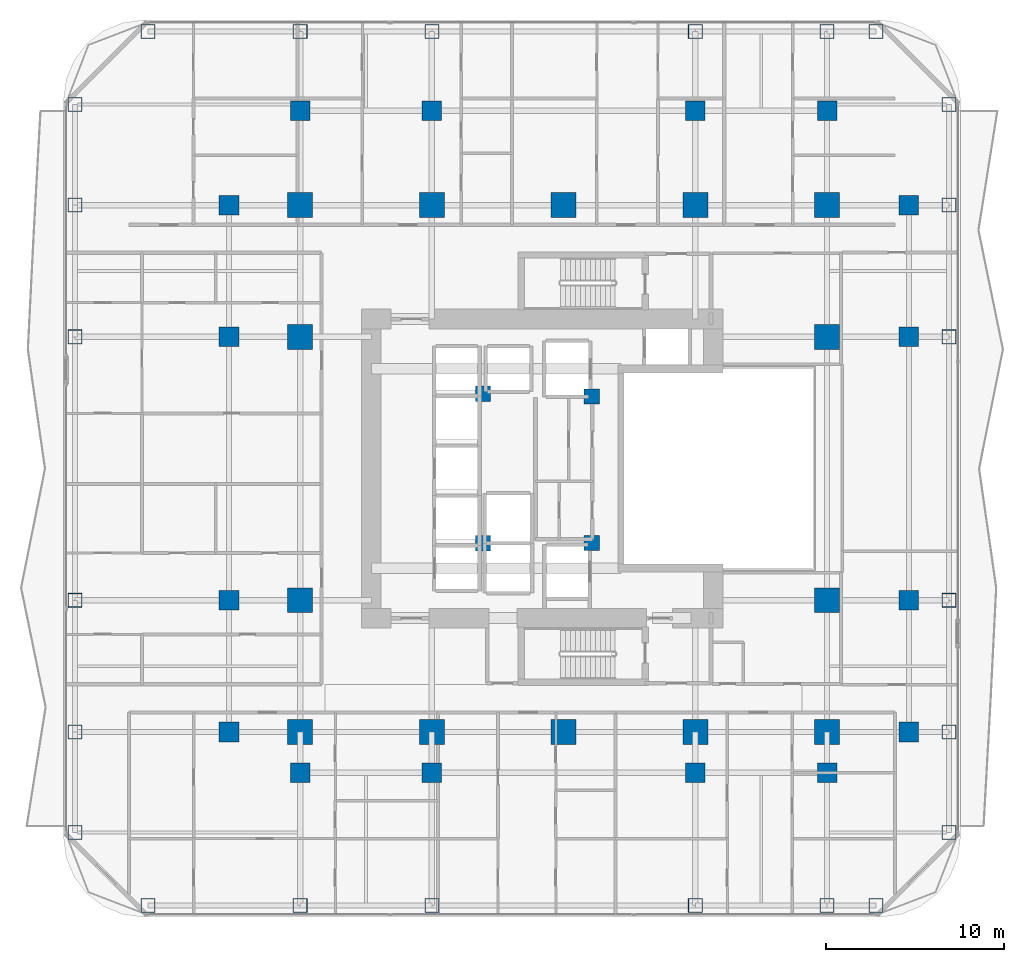
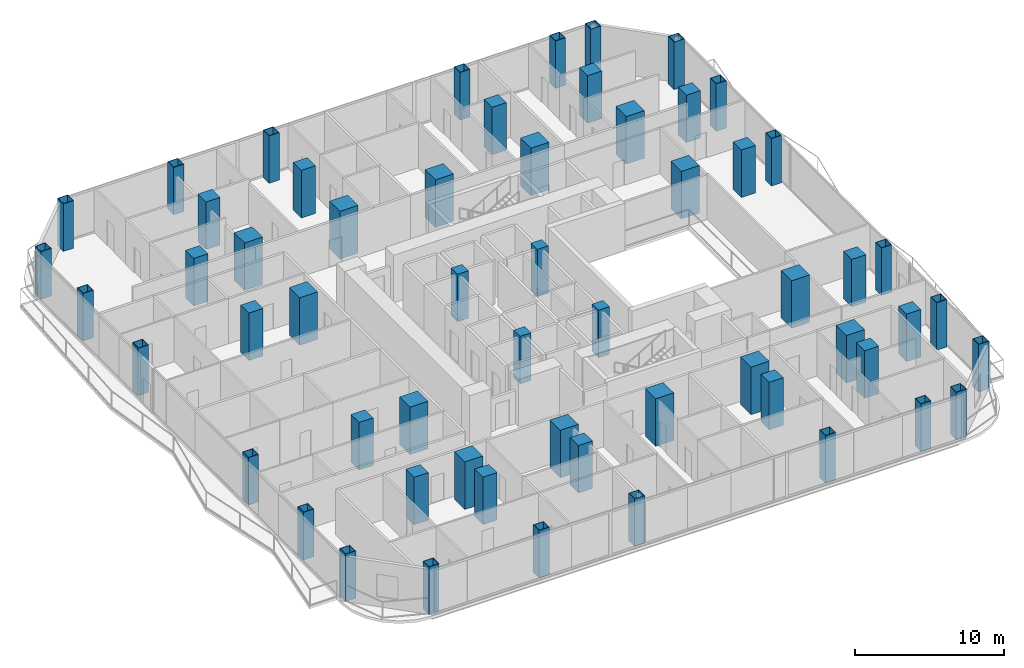
# One storey, part 1 of 29: 58 columns.
"""IFC4 building model written with IfcOpenShell, lengths in metres."""

from ifc_helpers import new_model, si_unit, direction, frame, origin, origin_2d, place, context, subcontext, project, spatial, rectangle, hollow_rectangle, extrude, material, material_profile, profile_set, type_object, element, save


model = new_model("IFC4")

# Units and contexts
model_context = context("Model", 3, precision=1e-05, world=origin(), true_north=direction((0.0, 1.0)))
body_context = subcontext(model_context, "Body", "Model", "MODEL_VIEW")
ifc_project = project(units=[si_unit("LENGTHUNIT", "METRE"), si_unit("AREAUNIT", "SQUARE_METRE"), si_unit("VOLUMEUNIT", "CUBIC_METRE"), si_unit("PLANEANGLEUNIT", "RADIAN"), si_unit("MASSUNIT", "GRAM", prefix="KILO")], contexts=[model_context])

# Site, building, storey
site_placement = place(None, origin())
site = spatial("IfcSite", under=ifc_project, at=site_placement, CompositionType="ELEMENT")
building_placement = place(site_placement, origin())
building = spatial("IfcBuilding", under=site, at=building_placement, Name="Khorvyn Point Tower", CompositionType="ELEMENT")
storey_placement = place(building_placement, frame((0.0, 0.0, 69.60009765625)))
storey = spatial("IfcBuildingStorey", under=building, at=storey_placement, Name="L18", CompositionType="ELEMENT", Elevation=69.60009765625)

# Columns
ifc_material_1 = material(Name="Concrete C40/50", Category="concrete")
ifc_material_profile_1 = material_profile(ifc_material_1, rectangle(XDim=0.85009765625, YDim=0.85009765625, at=origin_2d()))
ifc_profile_set_1 = profile_set([ifc_material_profile_1], Name="Concrete C40/50 RC850x850")
column_type_1 = type_object("IfcColumnType", Name="Concrete C40/50 Column RC850x850", PredefinedType="COLUMN", material=ifc_profile_set_1)
for number, where, z_axis, x_axis, name in (
    (1, (-4.52001953125, -4.199951171875, 0.0), (0.0, 0.0, 1.0), (1.0, 0.0, 0.0), "L18 Crown Core Spine Column 1"),
    (2, (1.580078125, -4.179931640625, 0.0), (0.0, 0.0, 1.0), (1.0, 0.0, 0.0), "L18 Crown Core Spine Column 2"),
    (3, (1.580078125, 4.050048828125, 0.0), (0.0, 0.0, 1.0), (1.0, 0.0, 0.0), "L18 Crown Core Spine Column 3"),
    (4, (-4.52001953125, 4.199951171875, 0.0), (0.0, 0.0, 1.0), (1.0, 0.0, 0.0), "L18 Crown Core Spine Column 4"),
):
    element("IfcColumn", number, at=place(storey_placement, frame(where, z_axis=z_axis, x_axis=x_axis)), inside=storey, type_object=column_type_1, Name=name, PredefinedType="COLUMN", context=body_context, shape_type="SweptSolid", body=[
        extrude(rectangle(XDim=0.85009765625, YDim=0.85009765625, at=origin_2d()), origin(), (0.0, 0.0, 1.0), 3.89990234375),
    ])
ifc_material_2 = material(Name="Concrete C45/55", Category="concrete")
ifc_material_profile_2 = material_profile(ifc_material_2, rectangle(XDim=1.10009765625, YDim=1.10009765625, at=origin_2d()))
ifc_profile_set_2 = profile_set([ifc_material_profile_2], Name="Concrete C45/55 RC1100x1100")
column_type_2 = type_object("IfcColumnType", Name="Concrete C45/55 Column RC1100x1100", PredefinedType="COLUMN", material=ifc_profile_set_2)
for number, where, z_axis, x_axis, name in (
    (5, (-18.800048828125, -14.800048828125, 0.0), (0.0, 0.0, 1.0), (1.0, 0.0, 0.0), "L18 Intermediate Column ICW--14"),
    (6, (-18.800048828125, -7.39990234375, 0.0), (0.0, 0.0, 1.0), (1.0, 0.0, 0.0), "L18 Intermediate Column ICW--7"),
    (7, (-18.800048828125, 7.39990234375, 0.0), (0.0, 0.0, 1.0), (1.0, 0.0, 0.0), "L18 Intermediate Column ICW-7"),
    (8, (-18.800048828125, 14.800048828125, 0.0), (0.0, 0.0, 1.0), (1.0, 0.0, 0.0), "L18 Intermediate Column ICW-14"),
    (9, (19.39990234375, -14.800048828125, 0.0), (0.0, 0.0, 1.0), (1.0, 0.0, 0.0), "L18 Intermediate Column ICE--14"),
    (10, (19.39990234375, -7.39990234375, 0.0), (0.0, 0.0, 1.0), (1.0, 0.0, 0.0), "L18 Intermediate Column ICE--7"),
    (11, (19.39990234375, 7.39990234375, 0.0), (0.0, 0.0, 1.0), (1.0, 0.0, 0.0), "L18 Intermediate Column ICE-7"),
    (12, (19.39990234375, 14.800048828125, 0.0), (0.0, 0.0, 1.0), (1.0, 0.0, 0.0), "L18 Intermediate Column ICE-14"),
    (13, (-14.800048828125, -17.10009765625, 0.0), (0.0, 0.0, 1.0), (1.0, 0.0, 0.0), "L18 Intermediate Column ICS--14"),
    (14, (-7.39990234375, -17.10009765625, 0.0), (0.0, 0.0, 1.0), (1.0, 0.0, 0.0), "L18 Intermediate Column ICS--7"),
    (15, (7.39990234375, -17.10009765625, 0.0), (0.0, 0.0, 1.0), (1.0, 0.0, 0.0), "L18 Intermediate Column ICS-7"),
    (16, (14.800048828125, -17.10009765625, 0.0), (0.0, 0.0, 1.0), (1.0, 0.0, 0.0), "L18 Intermediate Column ICS-14"),
    (17, (-14.800048828125, 20.10009765625, 0.0), (0.0, 0.0, 1.0), (1.0, 0.0, 0.0), "L18 Intermediate Column ICN--14"),
    (18, (-7.39990234375, 20.10009765625, 0.0), (0.0, 0.0, 1.0), (1.0, 0.0, 0.0), "L18 Intermediate Column ICN--7"),
    (19, (7.39990234375, 20.10009765625, 0.0), (0.0, 0.0, 1.0), (1.0, 0.0, 0.0), "L18 Intermediate Column ICN-7"),
    (20, (14.800048828125, 20.10009765625, 0.0), (0.0, 0.0, 1.0), (1.0, 0.0, 0.0), "L18 Intermediate Column ICN-14"),
):
    element("IfcColumn", number, at=place(storey_placement, frame(where, z_axis=z_axis, x_axis=x_axis)), inside=storey, type_object=column_type_2, Name=name, PredefinedType="COLUMN", context=body_context, shape_type="SweptSolid", body=[
        extrude(rectangle(XDim=1.10009765625, YDim=1.10009765625, at=origin_2d()), origin(), (0.0, 0.0, 1.0), 3.89990234375),
    ])
ifc_material_3 = material(Name="Concrete C50/60", Category="concrete")
ifc_material_profile_3 = material_profile(ifc_material_3, rectangle(XDim=1.39990234375, YDim=1.39990234375, at=origin_2d()))
ifc_profile_set_3 = profile_set([ifc_material_profile_3], Name="Concrete C50/60 RC1400x1400")
column_type_3 = type_object("IfcColumnType", Name="Concrete C50/60 Column RC1400x1400", PredefinedType="COLUMN", material=ifc_profile_set_3)
for number, where, z_axis, x_axis, name in (
    (21, (-14.800048828125, -14.800048828125, 0.0), (0.0, 0.0, 1.0), (1.0, 0.0, 0.0), "L18 Mega-Column MC-01"),
    (22, (-7.39990234375, -14.800048828125, 0.0), (0.0, 0.0, 1.0), (1.0, 0.0, 0.0), "L18 Mega-Column MC-02"),
    (23, (0.0, -14.800048828125, 0.0), (0.0, 0.0, 1.0), (1.0, 0.0, 0.0), "L18 Mega-Column MC-03"),
    (24, (7.39990234375, -14.800048828125, 0.0), (0.0, 0.0, 1.0), (1.0, 0.0, 0.0), "L18 Mega-Column MC-04"),
    (25, (14.800048828125, -14.800048828125, 0.0), (0.0, 0.0, 1.0), (1.0, 0.0, 0.0), "L18 Mega-Column MC-05"),
    (26, (-14.800048828125, 14.800048828125, 0.0), (0.0, 0.0, 1.0), (1.0, 0.0, 0.0), "L18 Mega-Column MC-06"),
    (27, (-7.39990234375, 14.800048828125, 0.0), (0.0, 0.0, 1.0), (1.0, 0.0, 0.0), "L18 Mega-Column MC-07"),
    (28, (0.0, 14.800048828125, 0.0), (0.0, 0.0, 1.0), (1.0, 0.0, 0.0), "L18 Mega-Column MC-08"),
    (29, (7.39990234375, 14.800048828125, 0.0), (0.0, 0.0, 1.0), (1.0, 0.0, 0.0), "L18 Mega-Column MC-09"),
    (30, (14.800048828125, 14.800048828125, 0.0), (0.0, 0.0, 1.0), (1.0, 0.0, 0.0), "L18 Mega-Column MC-10"),
    (31, (-14.800048828125, -7.39990234375, 0.0), (0.0, 0.0, 1.0), (1.0, 0.0, 0.0), "L18 Mega-Column MC-11"),
    (32, (-14.800048828125, 7.39990234375, 0.0), (0.0, 0.0, 1.0), (1.0, 0.0, 0.0), "L18 Mega-Column MC-12"),
    (33, (14.800048828125, -7.39990234375, 0.0), (0.0, 0.0, 1.0), (1.0, 0.0, 0.0), "L18 Mega-Column MC-13"),
    (34, (14.800048828125, 7.39990234375, 0.0), (0.0, 0.0, 1.0), (1.0, 0.0, 0.0), "L18 Mega-Column MC-14"),
):
    element("IfcColumn", number, at=place(storey_placement, frame(where, z_axis=z_axis, x_axis=x_axis)), inside=storey, type_object=column_type_3, Name=name, PredefinedType="COLUMN", context=body_context, shape_type="SweptSolid", body=[
        extrude(rectangle(XDim=1.39990234375, YDim=1.39990234375, at=origin_2d()), origin(), (0.0, 0.0, 1.0), 3.89990234375),
    ])
ifc_material_4 = material(Name="Steel S450", Category="steel")
ifc_material_profile_4 = material_profile(ifc_material_4, hollow_rectangle(XDim=0.800048828125, YDim=0.800048828125, WallThickness=0.035888671875, at=origin_2d()))
ifc_profile_set_4 = profile_set([ifc_material_profile_4], Name="Steel S450 BOX800x800x36")
column_type_4 = type_object("IfcColumnType", Name="Steel S450 Structural Column BOX800x800x36", PredefinedType="COLUMN", material=ifc_profile_set_4)
for number, where, z_axis, x_axis, name in (
    (35, (-23.35009765625, -24.550048828125, 0.0), (0.0, 0.0, 1.0), (1.0, 0.0, 0.0), "L18 Perimeter Tube Column TC-01"),
    (36, (17.550048828125, -24.550048828125, 0.0), (0.0, 0.0, 1.0), (1.0, 0.0, 0.0), "L18 Perimeter Tube Column TC-02"),
    (37, (-23.35009765625, 24.550048828125, 0.0), (0.0, 0.0, 1.0), (1.0, 0.0, 0.0), "L18 Perimeter Tube Column TC-03"),
    (38, (17.550048828125, 24.550048828125, 0.0), (0.0, 0.0, 1.0), (1.0, 0.0, 0.0), "L18 Perimeter Tube Column TC-04"),
    (39, (-27.449951171875, -20.449951171875, 0.0), (0.0, 0.0, 1.0), (1.0, 0.0, 0.0), "L18 Perimeter Tube Column TC-05"),
    (40, (-27.449951171875, 20.449951171875, 0.0), (0.0, 0.0, 1.0), (1.0, 0.0, 0.0), "L18 Perimeter Tube Column TC-06"),
    (41, (21.64990234375, -20.449951171875, 0.0), (0.0, 0.0, 1.0), (1.0, 0.0, 0.0), "L18 Perimeter Tube Column TC-07"),
    (42, (21.64990234375, 20.449951171875, 0.0), (0.0, 0.0, 1.0), (1.0, 0.0, 0.0), "L18 Perimeter Tube Column TC-08"),
    (43, (-14.800048828125, -24.550048828125, 0.0), (0.0, 0.0, 1.0), (1.0, 0.0, 0.0), "L18 Perimeter Tube Column TC-09"),
    (44, (-14.800048828125, 24.550048828125, 0.0), (0.0, 0.0, 1.0), (1.0, 0.0, 0.0), "L18 Perimeter Tube Column TC-10"),
    (45, (-7.39990234375, -24.550048828125, 0.0), (0.0, 0.0, 1.0), (1.0, 0.0, 0.0), "L18 Perimeter Tube Column TC-11"),
    (46, (-7.39990234375, 24.550048828125, 0.0), (0.0, 0.0, 1.0), (1.0, 0.0, 0.0), "L18 Perimeter Tube Column TC-12"),
    (47, (7.39990234375, -24.550048828125, 0.0), (0.0, 0.0, 1.0), (1.0, 0.0, 0.0), "L18 Perimeter Tube Column TC-13"),
    (48, (7.39990234375, 24.550048828125, 0.0), (0.0, 0.0, 1.0), (1.0, 0.0, 0.0), "L18 Perimeter Tube Column TC-14"),
    (49, (14.800048828125, -24.550048828125, 0.0), (0.0, 0.0, 1.0), (1.0, 0.0, 0.0), "L18 Perimeter Tube Column TC-15"),
    (50, (14.800048828125, 24.550048828125, 0.0), (0.0, 0.0, 1.0), (1.0, 0.0, 0.0), "L18 Perimeter Tube Column TC-16"),
    (51, (-27.449951171875, -14.800048828125, 0.0), (0.0, 0.0, 1.0), (1.0, 0.0, 0.0), "L18 Perimeter Tube Column TC-17"),
    (52, (21.64990234375, -14.800048828125, 0.0), (0.0, 0.0, 1.0), (1.0, 0.0, 0.0), "L18 Perimeter Tube Column TC-18"),
    (53, (-27.449951171875, -7.39990234375, 0.0), (0.0, 0.0, 1.0), (1.0, 0.0, 0.0), "L18 Perimeter Tube Column TC-19"),
    (54, (21.64990234375, -7.39990234375, 0.0), (0.0, 0.0, 1.0), (1.0, 0.0, 0.0), "L18 Perimeter Tube Column TC-20"),
    (55, (-27.449951171875, 7.39990234375, 0.0), (0.0, 0.0, 1.0), (1.0, 0.0, 0.0), "L18 Perimeter Tube Column TC-21"),
    (56, (21.64990234375, 7.39990234375, 0.0), (0.0, 0.0, 1.0), (1.0, 0.0, 0.0), "L18 Perimeter Tube Column TC-22"),
    (57, (-27.449951171875, 14.800048828125, 0.0), (0.0, 0.0, 1.0), (1.0, 0.0, 0.0), "L18 Perimeter Tube Column TC-23"),
    (58, (21.64990234375, 14.800048828125, 0.0), (0.0, 0.0, 1.0), (1.0, 0.0, 0.0), "L18 Perimeter Tube Column TC-24"),
):
    element("IfcColumn", number, at=place(storey_placement, frame(where, z_axis=z_axis, x_axis=x_axis)), inside=storey, type_object=column_type_4, Name=name, PredefinedType="COLUMN", context=body_context, shape_type="SweptSolid", body=[
        extrude(hollow_rectangle(XDim=0.800048828125, YDim=0.800048828125, WallThickness=0.035888671875, at=origin_2d()), origin(), (0.0, 0.0, 1.0), 3.89990234375),
    ])

save(model, "model.ifc")
